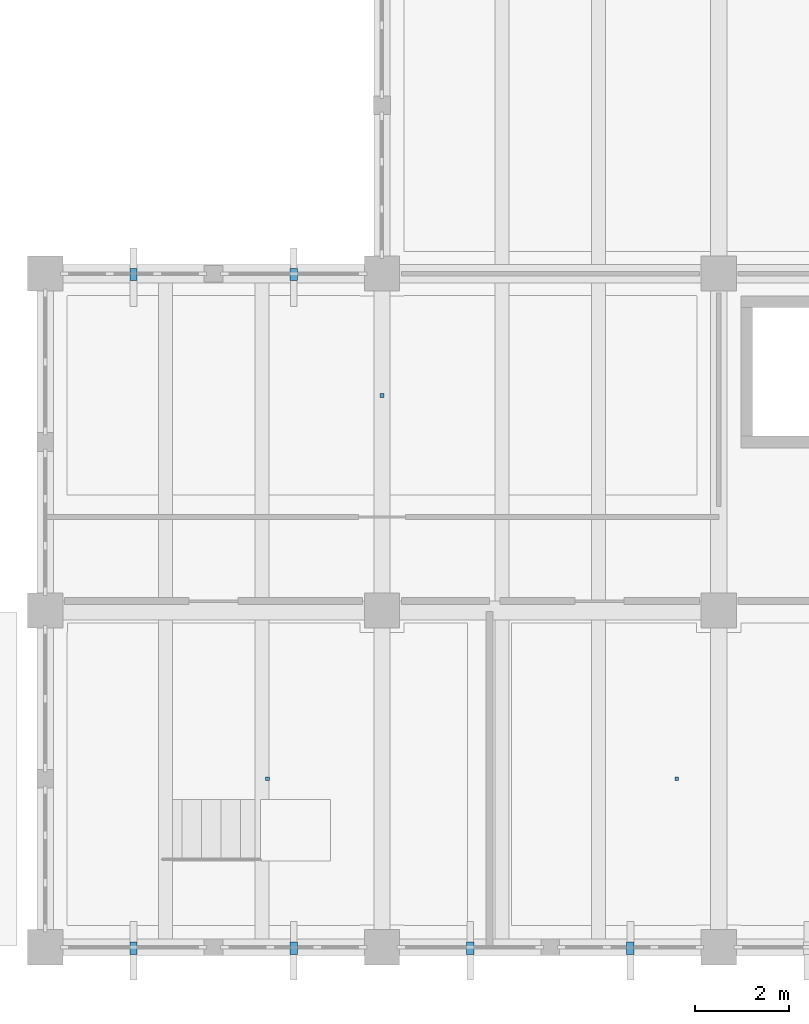
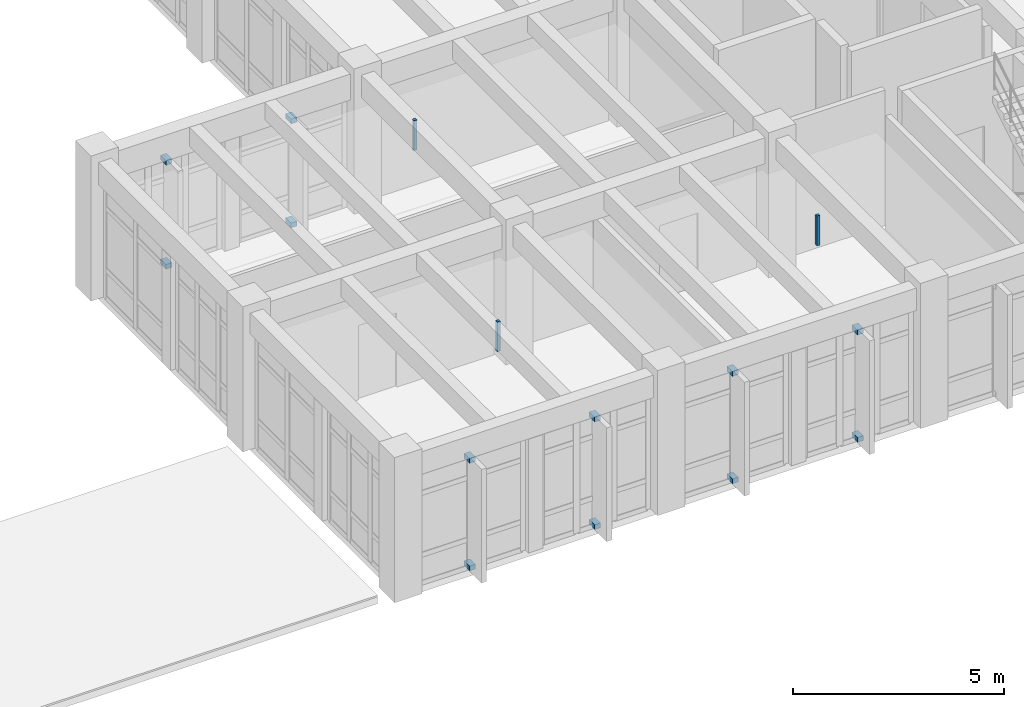
# One storey, part 125 of 136: 15 discrete accessories.
"""IFC4 building model written with IfcOpenShell, lengths in metres."""

from ifc_helpers import new_model, si_unit, direction, frame, origin, origin_2d, place, context, subcontext, project, spatial, rectangle, extrude, material, type_object, element, save


model = new_model("IFC4")

# Units and contexts
model_context = context("Model", 3, precision=1e-05, world=origin(), true_north=direction((0.0, 1.0)))
body_context = subcontext(model_context, "Body", "Model", "MODEL_VIEW")
ifc_project = project(units=[si_unit("LENGTHUNIT", "METRE"), si_unit("AREAUNIT", "SQUARE_METRE"), si_unit("VOLUMEUNIT", "CUBIC_METRE"), si_unit("PLANEANGLEUNIT", "RADIAN"), si_unit("MASSUNIT", "GRAM", prefix="KILO")], contexts=[model_context])

# Site, building, storey
site_placement = place(None, origin())
site = spatial("IfcSite", under=ifc_project, at=site_placement, CompositionType="ELEMENT")
building_placement = place(site_placement, origin())
building = spatial("IfcBuilding", under=site, at=building_placement, Name="Koriwan Promenade Central Fire Station", CompositionType="ELEMENT")
storey_placement = place(building_placement, frame((0.0, 0.0, 5.39990234375)))
storey = spatial("IfcBuildingStorey", under=building, at=storey_placement, Name="L01", CompositionType="ELEMENT", Elevation=5.39990234375)

# Discrete accessories
ifc_material = material(Name="Steel ASTM A572 Grade 50", Category="steel")
discrete_accessory_type_1 = type_object("IfcDiscreteAccessoryType", Name="CeilingHanger_Bracket", PredefinedType="BRACKET", material=ifc_material)
for number, where, z_axis, x_axis, name in (
    (1, (148.75, 3.60009765625, 3.094970703125), (0.0, 0.0, 1.0), (1.0, 0.0, 0.0), "Fire Engineering Training Classroom 1 acoustic ceiling seismic hanger"),
    (2, (157.5, 3.60009765625, 3.094970703125), (0.0, 0.0, 1.0), (1.0, 0.0, 0.0), "Incident Command Seminar Classroom 2 acoustic ceiling seismic hanger"),
    (3, (151.199951171875, 11.797607421875, 3.094970703125), (0.0, 0.0, 1.0), (1.0, 0.0, 0.0), "Plan Review and Building Code Office acoustic ceiling seismic hanger"),
):
    element("IfcDiscreteAccessory", number, at=place(storey_placement, frame(where, z_axis=z_axis, x_axis=x_axis)), inside=storey, type_object=discrete_accessory_type_1, Name=name, PredefinedType="BRACKET", context=body_context, shape_type="SweptSolid", body=[
        extrude(rectangle(XDim=0.080078125, YDim=0.080078125, at=origin_2d()), origin(), (0.0, 0.0, 1.0), 0.8701171875),
    ])
discrete_accessory_type_2 = type_object("IfcDiscreteAccessoryType", Name="FacadeBracket_Fin", PredefinedType="BRACKET", material=ifc_material)
for number, where, z_axis, x_axis, name in (
    (4, (156.512451171875, -0.02001953125, 0.02001953125), (0.0, 0.0, 1.0), (0.0, -1.0, 0.0), "Solar fin outrigger bracket 033-BOT"),
    (5, (156.512451171875, -0.02001953125, 3.13037109375), (0.0, 0.0, 1.0), (0.0, -1.0, 0.0), "Solar fin outrigger bracket 033-TOP"),
    (6, (153.08740234375, -0.02001953125, 0.02001953125), (0.0, 0.0, 1.0), (0.0, -1.0, 0.0), "Solar fin outrigger bracket 034-BOT"),
    (7, (153.08740234375, -0.02001953125, 3.13037109375), (0.0, 0.0, 1.0), (0.0, -1.0, 0.0), "Solar fin outrigger bracket 034-TOP"),
    (8, (149.3125, -0.02001953125, 0.02001953125), (0.0, 0.0, 1.0), (0.0, -1.0, 0.0), "Solar fin outrigger bracket 035-BOT"),
    (9, (149.3125, -0.02001953125, 3.13037109375), (0.0, 0.0, 1.0), (0.0, -1.0, 0.0), "Solar fin outrigger bracket 035-TOP"),
    (10, (145.887451171875, -0.02001953125, 0.02001953125), (0.0, 0.0, 1.0), (0.0, -1.0, 0.0), "Solar fin outrigger bracket 036-BOT"),
    (11, (145.887451171875, -0.02001953125, 3.13037109375), (0.0, 0.0, 1.0), (0.0, -1.0, 0.0), "Solar fin outrigger bracket 036-TOP"),
    (12, (145.887451171875, 14.3798828125, 0.02001953125), (0.0, 0.0, 1.0), (0.0, -1.0, 0.0), "Solar fin outrigger bracket 037-BOT"),
    (13, (145.887451171875, 14.3798828125, 3.0302734375), (0.0, 0.0, 1.0), (0.0, -1.0, 0.0), "Solar fin outrigger bracket 037-TOP"),
    (14, (149.3125, 14.3798828125, 0.02001953125), (0.0, 0.0, 1.0), (0.0, -1.0, 0.0), "Solar fin outrigger bracket 038-BOT"),
    (15, (149.3125, 14.3798828125, 3.0302734375), (0.0, 0.0, 1.0), (0.0, -1.0, 0.0), "Solar fin outrigger bracket 038-TOP"),
):
    element("IfcDiscreteAccessory", number, at=place(storey_placement, frame(where, z_axis=z_axis, x_axis=x_axis)), inside=storey, type_object=discrete_accessory_type_2, Name=name, PredefinedType="BRACKET", context=body_context, shape_type="SweptSolid", body=[
        extrude(rectangle(XDim=0.260009765625, YDim=0.159912109375, at=origin_2d()), origin(), (0.0, 0.0, 1.0), 0.139892578125),
    ])

save(model, "model.ifc")
